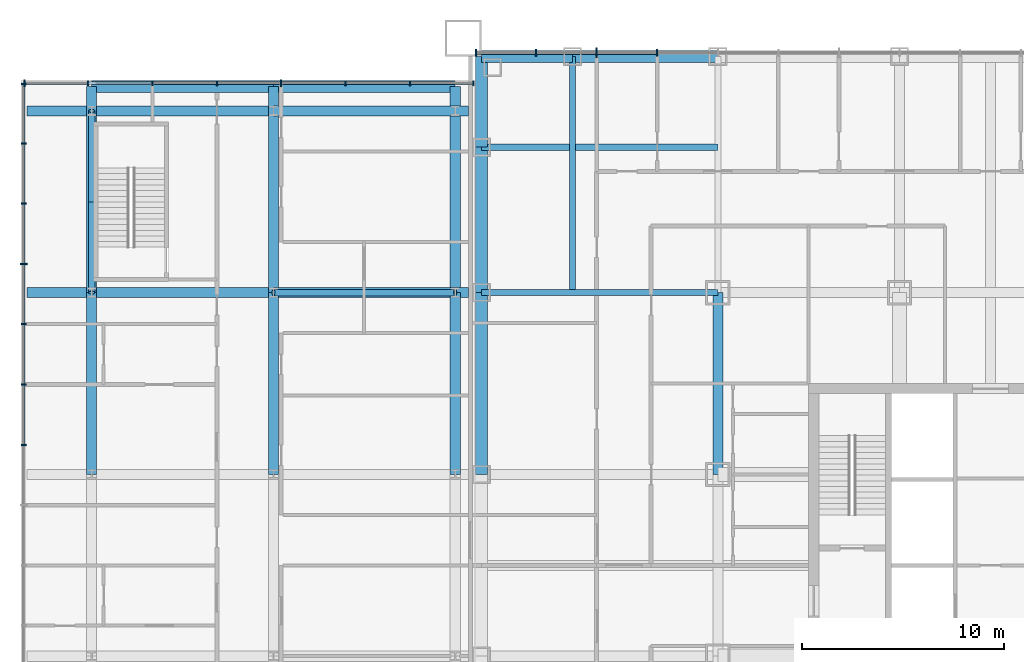
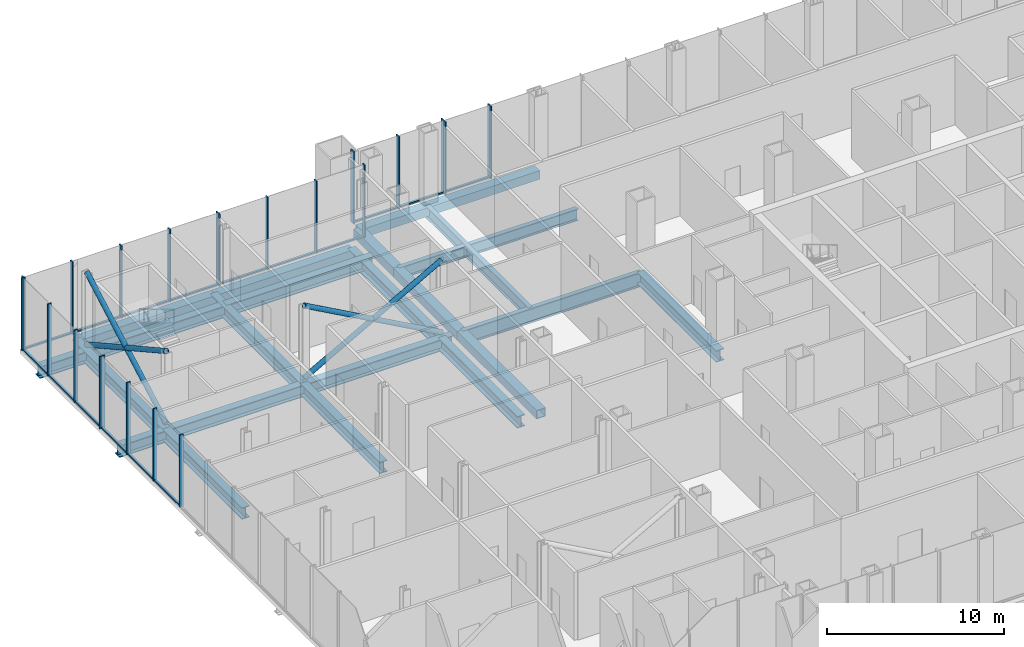
# One storey, part 5 of 25: 39 members, 21 beams, 3 elements without a shape of their own.
"""IFC4 building model written with IfcOpenShell, lengths in metres."""

import ifcopenshell
import ifcopenshell.guid

model = None  # the IFC model being written
_history = None  # IfcOwnerHistory: only IFC2X3 demands one
_inside = {}  # id of a spatial element -> (the spatial element, [elements in it])
_under = {}  # id of a project, library or spatial element -> (it, [spatial elements below it])
_declared = {}  # id of a project -> (the project, [libraries it declares])
_typed = {}  # id of a type object -> (the type object, [elements of that type])
_made_of = {}  # id of a material, layer set ... -> (it, [elements and type objects made of it])


def new_model(schema):
    """Start an empty IFC model of exactly this schema.

    Asked for "IFC4X3", IfcOpenShell would pick the latest addendum, in which some entities
    have other attributes; the version numbers below select the first issue.
    IFC2X3 requires an IfcOwnerHistory on every rooted entity: one is made here for all.
    """
    global model, _history
    if schema == "IFC4X3":
        model = ifcopenshell.file(schema_version=(4, 3, 0, 0))
    else:
        model = ifcopenshell.file(schema=schema)
    _inside.clear()
    _under.clear()
    _declared.clear()
    _typed.clear()
    _made_of.clear()
    _history = None
    if model.schema == "IFC2X3":
        org = make("IfcOrganization", Name="unknown")
        user = make(
            "IfcPersonAndOrganization",
            ThePerson=make("IfcPerson", FamilyName="unknown"),
            TheOrganization=org,
        )
        app = make(
            "IfcApplication",
            ApplicationDeveloper=org,
            Version="unknown",
            ApplicationFullName="unknown",
            ApplicationIdentifier="unknown",
        )
        _history = make(
            "IfcOwnerHistory",
            OwningUser=user,
            OwningApplication=app,
            ChangeAction="ADDED",
            CreationDate=0,
        )
    return model


def make(cls, **values):
    """One entity of the class cls with the attributes given. An attribute that is None is left unset."""
    return model.create_entity(
        cls, **{name: value for name, value in values.items() if value is not None}
    )


def rooted(cls, **values):
    """An entity with a GlobalId (a new one), such as an element, a storey or a relation."""
    return make(cls, GlobalId=ifcopenshell.guid.new(), OwnerHistory=_history, **values)


def si_unit(unit_type, name, prefix=None):
    """IfcSIUnit, for example si_unit("LENGTHUNIT", "METRE", prefix="MILLI")."""
    return make("IfcSIUnit", UnitType=unit_type, Prefix=prefix, Name=name)


def assignment(units):
    """IfcUnitAssignment: the units of a project."""
    return None if units is None else make("IfcUnitAssignment", Units=units)


def point(xyz):
    """IfcCartesianPoint."""
    return None if xyz is None else make("IfcCartesianPoint", Coordinates=xyz)


def direction(xyz):
    """IfcDirection."""
    return None if xyz is None else make("IfcDirection", DirectionRatios=xyz)


def frame(location, z_axis=None, x_axis=None):
    """IfcAxis2Placement3D, a coordinate frame: its origin and axes. An axis left out is left unset."""
    return make(
        "IfcAxis2Placement3D",
        Location=point(location),
        Axis=direction(z_axis),
        RefDirection=direction(x_axis),
    )


def frame_2d(location, x_axis=None):
    """IfcAxis2Placement2D, a coordinate frame in the plane: its origin and x axis."""
    return make(
        "IfcAxis2Placement2D", Location=point(location), RefDirection=direction(x_axis)
    )


def origin():
    """The frame at (0, 0, 0) with its axes left unset."""
    return frame((0.0, 0.0, 0.0))


def origin_2d():
    """The frame at (0, 0) in the plane with its x axis left unset."""
    return frame_2d((0.0, 0.0))


def place(relative_to, where):
    """IfcLocalPlacement: puts the frame where relative to a parent placement (None: the world)."""
    return make(
        "IfcLocalPlacement", PlacementRelTo=relative_to, RelativePlacement=where
    )


def context(
    kind, dimensions, precision=None, world=None, true_north=None, identifier=None
):
    """IfcGeometricRepresentationContext, for example the 3D "Model" context."""
    return make(
        "IfcGeometricRepresentationContext",
        ContextIdentifier=identifier,
        ContextType=kind,
        CoordinateSpaceDimension=dimensions,
        Precision=precision,
        WorldCoordinateSystem=world,
        TrueNorth=true_north,
    )


def subcontext(parent, identifier, kind, view, scale=None):
    """IfcGeometricRepresentationSubContext, for example "Body" below "Model"."""
    return make(
        "IfcGeometricRepresentationSubContext",
        ContextIdentifier=identifier,
        ContextType=kind,
        ParentContext=parent,
        TargetScale=scale,
        TargetView=view,
    )


def project(units=None, contexts=None):
    """IfcProject with its units and contexts."""
    return rooted(
        "IfcProject",
        Name="project",
        RepresentationContexts=contexts,
        UnitsInContext=assignment(units),
    )


def spatial(cls, under=None, at=None, **own):
    """A site, building, storey or space (cls), placed at a placement, below another one or the project."""
    s = rooted(cls, ObjectPlacement=at, **own)
    if under is not None:
        _under.setdefault(under.id(), (under, []))[1].append(s)
    return s


def profile(cls, at=None, kind="AREA", **sizes):
    """A parametric profile (cls). Its sizes go by their IFC names, for example OverallWidth=200.0."""
    return make(cls, ProfileType=kind, Position=at, **sizes)


def rectangle(**sizes):
    """IfcRectangleProfileDef."""
    return profile("IfcRectangleProfileDef", **sizes)


def hollow_rectangle(**sizes):
    """IfcRectangleHollowProfileDef."""
    return profile("IfcRectangleHollowProfileDef", **sizes)


def hollow_circle(**sizes):
    """IfcCircleHollowProfileDef."""
    return profile("IfcCircleHollowProfileDef", **sizes)


def i_section(**sizes):
    """IfcIShapeProfileDef."""
    return profile("IfcIShapeProfileDef", **sizes)


def extrude(swept, where, along, depth):
    """IfcExtrudedAreaSolid: the profile swept, set in the frame where, extruded along a direction by depth."""
    return make(
        "IfcExtrudedAreaSolid",
        SweptArea=swept,
        Position=where,
        ExtrudedDirection=direction(along),
        Depth=depth,
    )


def shape(context_of_items, identifier, shape_type, items):
    """IfcShapeRepresentation: the items that make up one representation, for example the "Body"."""
    return make(
        "IfcShapeRepresentation",
        ContextOfItems=context_of_items,
        RepresentationIdentifier=identifier,
        RepresentationType=shape_type,
        Items=items,
    )


def material(Name=None, Category=None):
    """IfcMaterial."""
    return make("IfcMaterial", Name=Name, Category=Category)


def layer(
    of_material, thickness, ventilated=None, Name=None, Category=None, Priority=None
):
    """IfcMaterialLayer: one layer of a wall or slab, of a material (None: an air gap)."""
    return make(
        "IfcMaterialLayer",
        Material=of_material,
        LayerThickness=thickness,
        IsVentilated=ventilated,
        Name=Name,
        Category=Category,
        Priority=Priority,
    )


def layer_set(layers, Name=None):
    """IfcMaterialLayerSet."""
    return make("IfcMaterialLayerSet", MaterialLayers=layers, LayerSetName=Name)


def material_profile(
    of_material, cross_section, Name=None, Category=None, Priority=None
):
    """IfcMaterialProfile: a cross section and its material."""
    return make(
        "IfcMaterialProfile",
        Name=Name,
        Material=of_material,
        Profile=cross_section,
        Priority=Priority,
        Category=Category,
    )


def profile_set(profiles, Name=None, composite=None):
    """IfcMaterialProfileSet."""
    return make(
        "IfcMaterialProfileSet",
        Name=Name,
        MaterialProfiles=profiles,
        CompositeProfile=composite,
    )


def made_of(thing, what):
    """Note that an element or type object is made of a material, layer set ...; save() writes the relation."""
    if what is not None:
        _made_of.setdefault(what.id(), (what, []))[1].append(thing)
    return thing


def type_object(cls, material=None, **own):
    """A type object (cls), such as IfcWallType, which elements share."""
    return made_of(rooted(cls, **own), material)


def element(
    cls,
    number,
    at=None,
    inside=None,
    cuts=None,
    type_object=None,
    material=None,
    context=None,
    identifier="Body",
    shape_type=None,
    held_by="IfcProductDefinitionShape",
    body=None,
    shapes=None,
    **own,
):
    """One element of the class cls, such as IfcWall. Its Tag is "e" and its number.

    at: its placement. inside: the storey or other place that contains it. cuts: it is an
    opening in that element (IfcRelVoidsElement). A single representation is given by context,
    identifier, shape_type and body (its items); several are given by shapes. held_by: the class
    of the entity that holds the representations. save() writes the other relations.
    """
    e = rooted(cls, Tag="e%d" % number, ObjectPlacement=at, **own)
    if body is not None:
        shapes = [shape(context, identifier, shape_type, body)]
    if shapes is not None:
        e.Representation = make(held_by, Representations=shapes)
    if inside is not None:
        _inside.setdefault(inside.id(), (inside, []))[1].append(e)
    if cuts is not None:
        rooted(
            "IfcRelVoidsElement", RelatingBuildingElement=cuts, RelatedOpeningElement=e
        )
    if type_object is not None:
        _typed.setdefault(type_object.id(), (type_object, []))[1].append(e)
    return made_of(e, material)


def aggregate(whole, parts):
    """IfcRelAggregates: a whole, such as a stair, and the parts it consists of."""
    return rooted("IfcRelAggregates", RelatingObject=whole, RelatedObjects=parts)


def save(model, path):
    """Write the relations noted so far, then the file.

    IfcRelAggregates (storeys below a building ...), IfcRelContainedInSpatialStructure (elements
    in a storey), IfcRelDefinesByType, IfcRelAssociatesMaterial and IfcRelDeclares: one each for
    every whole, place, type object, material and project.
    """
    for whole, parts in _under.values():
        aggregate(whole, parts)
    for where, things in _inside.values():
        rooted(
            "IfcRelContainedInSpatialStructure",
            RelatedElements=things,
            RelatingStructure=where,
        )
    for kind, things in _typed.values():
        rooted("IfcRelDefinesByType", RelatedObjects=things, RelatingType=kind)
    for what, things in _made_of.values():
        rooted("IfcRelAssociatesMaterial", RelatedObjects=things, RelatingMaterial=what)
    for by, libraries in _declared.values():
        rooted("IfcRelDeclares", RelatingContext=by, RelatedDefinitions=libraries)
    model.write(path)


model = new_model("IFC4")

# Units and contexts
model_context = context("Model", 3, precision=1e-05, world=origin(), true_north=direction((0.0, 1.0)))
body_context = subcontext(model_context, "Body", "Model", "MODEL_VIEW")
ifc_project = project(units=[si_unit("LENGTHUNIT", "METRE"), si_unit("AREAUNIT", "SQUARE_METRE"), si_unit("VOLUMEUNIT", "CUBIC_METRE"), si_unit("PLANEANGLEUNIT", "RADIAN"), si_unit("MASSUNIT", "GRAM", prefix="KILO")], contexts=[model_context])

# Site, building, storey
site_placement = place(None, origin())
site = spatial("IfcSite", under=ifc_project, at=site_placement, CompositionType="ELEMENT")
building_placement = place(site_placement, origin())
building = spatial("IfcBuilding", under=site, at=building_placement, Name="Malebo Sky Hospital", CompositionType="ELEMENT")
storey_placement = place(building_placement, frame((0.0, 0.0, 6.0)))
storey = spatial("IfcBuildingStorey", under=building, at=storey_placement, Name="L01", CompositionType="ELEMENT", Elevation=6.0)

# Curtain wall, members
ifc_material_1 = material(Name="Anodised aluminium, natural silver", Category="aluminium")
ifc_layer_1 = layer(ifc_material_1, 0.25)
ifc_layer_set_1 = layer_set([ifc_layer_1], Name="PODIUM CURTAIN WALL")
curtain_wall_type_1 = type_object("IfcCurtainWallType", Name="PODIUM CURTAIN WALL", PredefinedType="NOTDEFINED", material=ifc_layer_set_1)
curtain_wall_1_placement = place(storey_placement, origin())
curtain_wall_1 = element("IfcCurtainWall", 1, at=curtain_wall_1_placement, inside=storey, type_object=curtain_wall_type_1, Name="POD curtain wall WW", PredefinedType="NOTDEFINED")
ifc_material_profile_1 = material_profile(ifc_material_1, rectangle(XDim=0.14990234375, YDim=0.10009765625, at=origin_2d()), Name="ALUMINIUM TRANSOM 150x100")
ifc_profile_set_1 = profile_set([ifc_material_profile_1], Name="Anodised aluminium, natural silver")
member_type_1 = type_object("IfcMemberType", Name="ALUMINIUM TRANSOM 150x100", PredefinedType="USERDEFINED", material=ifc_profile_set_1)
member_1_placement = place(storey_placement, frame((12.125, 85.800048828125, 0.050048828125), z_axis=(0.0, -1.0, 0.0), x_axis=(1.0, 0.0, 0.0)))
member_1 = element("IfcMember", 2, at=member_1_placement, type_object=member_type_1, Name="Transom 1", ObjectType="TRANSOM", PredefinedType="USERDEFINED", context=body_context, shape_type="SweptSolid", body=[
    extrude(rectangle(XDim=0.14990234375, YDim=0.10009765625, at=origin_2d()), origin(), (0.0, 0.0, 1.0), 2.8720703125),
])
member_2_placement = place(storey_placement, frame((12.125, 82.85302734375, 0.050048828125), z_axis=(0.0, -1.0, 0.0), x_axis=(1.0, 0.0, 0.0)))
member_2 = element("IfcMember", 3, at=member_2_placement, type_object=member_type_1, Name="Transom 2", ObjectType="TRANSOM", PredefinedType="USERDEFINED", context=body_context, shape_type="SweptSolid", body=[
    extrude(rectangle(XDim=0.14990234375, YDim=0.10009765625, at=origin_2d()), origin(), (0.0, 0.0, 1.0), 2.909423828125),
])
member_3_placement = place(storey_placement, frame((12.125, 79.86865234375, 0.050048828125), z_axis=(0.0, -1.0, 0.0), x_axis=(1.0, 0.0, 0.0)))
member_3 = element("IfcMember", 4, at=member_3_placement, type_object=member_type_1, Name="Transom 3", ObjectType="TRANSOM", PredefinedType="USERDEFINED", context=body_context, shape_type="SweptSolid", body=[
    extrude(rectangle(XDim=0.14990234375, YDim=0.10009765625, at=origin_2d()), origin(), (0.0, 0.0, 1.0), 2.9091796875),
])
member_4_placement = place(storey_placement, frame((12.125, 76.884521484375, 0.050048828125), z_axis=(0.0, -1.0, 0.0), x_axis=(1.0, 0.0, 0.0)))
member_4 = element("IfcMember", 5, at=member_4_placement, type_object=member_type_1, Name="Transom 4", ObjectType="TRANSOM", PredefinedType="USERDEFINED", context=body_context, shape_type="SweptSolid", body=[
    extrude(rectangle(XDim=0.14990234375, YDim=0.10009765625, at=origin_2d()), origin(), (0.0, 0.0, 1.0), 2.909423828125),
])
member_5_placement = place(storey_placement, frame((12.125, 73.89990234375, 0.050048828125), z_axis=(0.0, -1.0, 0.0), x_axis=(1.0, 0.0, 0.0)))
member_5 = element("IfcMember", 6, at=member_5_placement, type_object=member_type_1, Name="Transom 5", ObjectType="TRANSOM", PredefinedType="USERDEFINED", context=body_context, shape_type="SweptSolid", body=[
    extrude(rectangle(XDim=0.14990234375, YDim=0.10009765625, at=origin_2d()), origin(), (0.0, 0.0, 1.0), 2.909423828125),
])
member_6_placement = place(storey_placement, frame((12.125, 70.91552734375, 0.050048828125), z_axis=(0.0, -1.0, 0.0), x_axis=(1.0, 0.0, 0.0)))
member_6 = element("IfcMember", 7, at=member_6_placement, type_object=member_type_1, Name="Transom 6", ObjectType="TRANSOM", PredefinedType="USERDEFINED", context=body_context, shape_type="SweptSolid", body=[
    extrude(rectangle(XDim=0.14990234375, YDim=0.10009765625, at=origin_2d()), origin(), (0.0, 0.0, 1.0), 2.9091796875),
])

curtain_wall_2_placement = place(storey_placement, origin())
curtain_wall_2 = element("IfcCurtainWall", 8, at=curtain_wall_2_placement, inside=storey, type_object=curtain_wall_type_1, Name="POD curtain wall WN", PredefinedType="NOTDEFINED")
member_7_placement = place(storey_placement, frame((34.375, 85.875, 0.050048828125), z_axis=(-1.0, 0.0, 0.0), x_axis=(0.0, -1.0, 0.0)))
member_7 = element("IfcMember", 9, at=member_7_placement, type_object=member_type_1, Name="Transom 1", ObjectType="TRANSOM", PredefinedType="USERDEFINED", context=body_context, shape_type="SweptSolid", body=[
    extrude(rectangle(XDim=0.14990234375, YDim=0.10009765625, at=origin_2d()), origin(), (0.0, 0.0, 1.0), 3.076904296875),
])
member_8_placement = place(storey_placement, frame((31.22314453125, 85.875, 0.050048828125), z_axis=(-1.0, 0.0, 0.0), x_axis=(0.0, -1.0, 0.0)))
member_8 = element("IfcMember", 10, at=member_8_placement, type_object=member_type_1, Name="Transom 2", ObjectType="TRANSOM", PredefinedType="USERDEFINED", context=body_context, shape_type="SweptSolid", body=[
    extrude(rectangle(XDim=0.14990234375, YDim=0.10009765625, at=origin_2d()), origin(), (0.0, 0.0, 1.0), 3.1142578125),
])
member_9_placement = place(storey_placement, frame((28.033935546875, 85.875, 0.050048828125), z_axis=(-1.0, 0.0, 0.0), x_axis=(0.0, -1.0, 0.0)))
member_9 = element("IfcMember", 11, at=member_9_placement, type_object=member_type_1, Name="Transom 3", ObjectType="TRANSOM", PredefinedType="USERDEFINED", context=body_context, shape_type="SweptSolid", body=[
    extrude(rectangle(XDim=0.14990234375, YDim=0.10009765625, at=origin_2d()), origin(), (0.0, 0.0, 1.0), 3.1142578125),
])
member_10_placement = place(storey_placement, frame((24.844482421875, 85.875, 0.050048828125), z_axis=(-1.0, 0.0, 0.0), x_axis=(0.0, -1.0, 0.0)))
member_10 = element("IfcMember", 12, at=member_10_placement, type_object=member_type_1, Name="Transom 4", ObjectType="TRANSOM", PredefinedType="USERDEFINED", context=body_context, shape_type="SweptSolid", body=[
    extrude(rectangle(XDim=0.14990234375, YDim=0.10009765625, at=origin_2d()), origin(), (0.0, 0.0, 1.0), 3.114013671875),
])
member_11_placement = place(storey_placement, frame((21.655517578125, 85.875, 0.050048828125), z_axis=(-1.0, 0.0, 0.0), x_axis=(0.0, -1.0, 0.0)))
member_11 = element("IfcMember", 13, at=member_11_placement, type_object=member_type_1, Name="Transom 5", ObjectType="TRANSOM", PredefinedType="USERDEFINED", context=body_context, shape_type="SweptSolid", body=[
    extrude(rectangle(XDim=0.14990234375, YDim=0.10009765625, at=origin_2d()), origin(), (0.0, 0.0, 1.0), 3.114501953125),
])
member_12_placement = place(storey_placement, frame((18.466064453125, 85.875, 0.050048828125), z_axis=(-1.0, 0.0, 0.0), x_axis=(0.0, -1.0, 0.0)))
member_12 = element("IfcMember", 14, at=member_12_placement, type_object=member_type_1, Name="Transom 6", ObjectType="TRANSOM", PredefinedType="USERDEFINED", context=body_context, shape_type="SweptSolid", body=[
    extrude(rectangle(XDim=0.14990234375, YDim=0.10009765625, at=origin_2d()), origin(), (0.0, 0.0, 1.0), 3.1142578125),
])
member_13_placement = place(storey_placement, frame((15.27685546875, 85.875, 0.050048828125), z_axis=(-1.0, 0.0, 0.0), x_axis=(0.0, -1.0, 0.0)))
member_13 = element("IfcMember", 15, at=member_13_placement, type_object=member_type_1, Name="Transom 7", ObjectType="TRANSOM", PredefinedType="USERDEFINED", context=body_context, shape_type="SweptSolid", body=[
    extrude(rectangle(XDim=0.14990234375, YDim=0.10009765625, at=origin_2d()), origin(), (0.0, 0.0, 1.0), 3.076904296875),
])

ifc_layer_2 = layer(ifc_material_1, 0.25)
ifc_layer_set_2 = layer_set([ifc_layer_2], Name="PODIUM ENTRANCE BAY CURTAIN WALL")
curtain_wall_type_2 = type_object("IfcCurtainWallType", Name="PODIUM ENTRANCE BAY CURTAIN WALL", PredefinedType="NOTDEFINED", material=ifc_layer_set_2)
curtain_wall_3_placement = place(storey_placement, origin())
curtain_wall_3 = element("IfcCurtainWall", 16, at=curtain_wall_3_placement, inside=storey, type_object=curtain_wall_type_2, Name="BAY curtain wall BN", PredefinedType="NOTDEFINED")
member_14_placement = place(storey_placement, frame((43.46240234375, 87.375, 0.050048828125), z_axis=(-1.0, 0.0, 0.0), x_axis=(0.0, -1.0, 0.0)))
member_14 = element("IfcMember", 17, at=member_14_placement, type_object=member_type_1, Name="Transom 15", ObjectType="TRANSOM", PredefinedType="USERDEFINED", context=body_context, shape_type="SweptSolid", body=[
    extrude(rectangle(XDim=0.14990234375, YDim=0.10009765625, at=origin_2d()), origin(), (0.0, 0.0, 1.0), 2.9248046875),
])
member_15_placement = place(storey_placement, frame((40.46240234375, 87.375, 0.050048828125), z_axis=(-1.0, 0.0, 0.0), x_axis=(0.0, -1.0, 0.0)))
member_15 = element("IfcMember", 18, at=member_15_placement, type_object=member_type_1, Name="Transom 16", ObjectType="TRANSOM", PredefinedType="USERDEFINED", context=body_context, shape_type="SweptSolid", body=[
    extrude(rectangle(XDim=0.14990234375, YDim=0.10009765625, at=origin_2d()), origin(), (0.0, 0.0, 1.0), 2.9248046875),
])
member_16_placement = place(storey_placement, frame((37.46240234375, 87.375, 0.050048828125), z_axis=(-1.0, 0.0, 0.0), x_axis=(0.0, -1.0, 0.0)))
member_16 = element("IfcMember", 19, at=member_16_placement, type_object=member_type_1, Name="Transom 17", ObjectType="TRANSOM", PredefinedType="USERDEFINED", context=body_context, shape_type="SweptSolid", body=[
    extrude(rectangle(XDim=0.14990234375, YDim=0.10009765625, at=origin_2d()), origin(), (0.0, 0.0, 1.0), 2.887451171875),
])

# Member
ifc_material_profile_2 = material_profile(ifc_material_1, rectangle(XDim=0.074951171875, YDim=0.25, at=origin_2d()), Name="CW3 ALUMINIUM FIN MULLION 75x250")
ifc_profile_set_2 = profile_set([ifc_material_profile_2], Name="Anodised aluminium, natural silver")
member_type_2 = type_object("IfcMemberType", Name="CW3 ALUMINIUM FIN MULLION 75x250", PredefinedType="MULLION", material=ifc_profile_set_2)
member_17_placement = place(storey_placement, frame((12.125, 85.83740234375, 0.0), z_axis=(0.0, 0.0, 1.0), x_axis=(0.0, -1.0, 0.0)))
member_17 = element("IfcMember", 20, at=member_17_placement, type_object=member_type_2, Name="Fin mullion 1", PredefinedType="MULLION", context=body_context, shape_type="SweptSolid", body=[
    extrude(rectangle(XDim=0.074951171875, YDim=0.25, at=origin_2d()), origin(), (0.0, 0.0, 1.0), 5.0),
])

member_18_placement = place(storey_placement, frame((12.125, 82.890625, 0.0), z_axis=(0.0, 0.0, 1.0), x_axis=(0.0, -1.0, 0.0)))
member_18 = element("IfcMember", 21, at=member_18_placement, type_object=member_type_2, Name="Fin mullion 2", PredefinedType="MULLION", context=body_context, shape_type="SweptSolid", body=[
    extrude(rectangle(XDim=0.074951171875, YDim=0.25, at=origin_2d()), origin(), (0.0, 0.0, 1.0), 5.0),
])

member_19_placement = place(storey_placement, frame((12.125, 79.90625, 0.0), z_axis=(0.0, 0.0, 1.0), x_axis=(0.0, -1.0, 0.0)))
member_19 = element("IfcMember", 22, at=member_19_placement, type_object=member_type_2, Name="Fin mullion 3", PredefinedType="MULLION", context=body_context, shape_type="SweptSolid", body=[
    extrude(rectangle(XDim=0.074951171875, YDim=0.25, at=origin_2d()), origin(), (0.0, 0.0, 1.0), 5.0),
])

member_20_placement = place(storey_placement, frame((12.125, 73.9375, 0.0), z_axis=(0.0, 0.0, 1.0), x_axis=(0.0, -1.0, 0.0)))
member_20 = element("IfcMember", 23, at=member_20_placement, type_object=member_type_2, Name="Fin mullion 5", PredefinedType="MULLION", context=body_context, shape_type="SweptSolid", body=[
    extrude(rectangle(XDim=0.074951171875, YDim=0.25, at=origin_2d()), origin(), (0.0, 0.0, 1.0), 5.0),
])

member_21_placement = place(storey_placement, frame((12.125, 70.953125, 0.0), z_axis=(0.0, 0.0, 1.0), x_axis=(0.0, -1.0, 0.0)))
member_21 = element("IfcMember", 24, at=member_21_placement, type_object=member_type_2, Name="Fin mullion 6", PredefinedType="MULLION", context=body_context, shape_type="SweptSolid", body=[
    extrude(rectangle(XDim=0.074951171875, YDim=0.25, at=origin_2d()), origin(), (0.0, 0.0, 1.0), 5.0),
])

member_22_placement = place(storey_placement, frame((12.125, 67.96875, 0.0), z_axis=(0.0, 0.0, 1.0), x_axis=(0.0, -1.0, 0.0)))
member_22 = element("IfcMember", 25, at=member_22_placement, type_object=member_type_2, Name="Fin mullion 7", PredefinedType="MULLION", context=body_context, shape_type="SweptSolid", body=[
    extrude(rectangle(XDim=0.074951171875, YDim=0.25, at=origin_2d()), origin(), (0.0, 0.0, 1.0), 5.0),
])

member_23_placement = place(storey_placement, frame((34.41259765625, 85.875, 0.0), z_axis=(0.0, 0.0, 1.0), x_axis=(-1.0, 0.0, 0.0)))
member_23 = element("IfcMember", 26, at=member_23_placement, type_object=member_type_2, Name="Fin mullion 1", PredefinedType="MULLION", context=body_context, shape_type="SweptSolid", body=[
    extrude(rectangle(XDim=0.074951171875, YDim=0.25, at=origin_2d()), origin(), (0.0, 0.0, 1.0), 5.0),
])

member_24_placement = place(storey_placement, frame((31.2607421875, 85.875, 0.0), z_axis=(0.0, 0.0, 1.0), x_axis=(-1.0, 0.0, 0.0)))
member_24 = element("IfcMember", 27, at=member_24_placement, type_object=member_type_2, Name="Fin mullion 2", PredefinedType="MULLION", context=body_context, shape_type="SweptSolid", body=[
    extrude(rectangle(XDim=0.074951171875, YDim=0.25, at=origin_2d()), origin(), (0.0, 0.0, 1.0), 5.0),
])

member_25_placement = place(storey_placement, frame((28.0712890625, 85.875, 0.0), z_axis=(0.0, 0.0, 1.0), x_axis=(-1.0, 0.0, 0.0)))
member_25 = element("IfcMember", 28, at=member_25_placement, type_object=member_type_2, Name="Fin mullion 3", PredefinedType="MULLION", context=body_context, shape_type="SweptSolid", body=[
    extrude(rectangle(XDim=0.074951171875, YDim=0.25, at=origin_2d()), origin(), (0.0, 0.0, 1.0), 5.0),
])

member_26_placement = place(storey_placement, frame((21.69287109375, 85.875, 0.0), z_axis=(0.0, 0.0, 1.0), x_axis=(-1.0, 0.0, 0.0)))
member_26 = element("IfcMember", 29, at=member_26_placement, type_object=member_type_2, Name="Fin mullion 5", PredefinedType="MULLION", context=body_context, shape_type="SweptSolid", body=[
    extrude(rectangle(XDim=0.074951171875, YDim=0.25, at=origin_2d()), origin(), (0.0, 0.0, 1.0), 5.0),
])

member_27_placement = place(storey_placement, frame((18.503662109375, 85.875, 0.0), z_axis=(0.0, 0.0, 1.0), x_axis=(-1.0, 0.0, 0.0)))
member_27 = element("IfcMember", 30, at=member_27_placement, type_object=member_type_2, Name="Fin mullion 6", PredefinedType="MULLION", context=body_context, shape_type="SweptSolid", body=[
    extrude(rectangle(XDim=0.074951171875, YDim=0.25, at=origin_2d()), origin(), (0.0, 0.0, 1.0), 5.0),
])

member_28_placement = place(storey_placement, frame((15.314208984375, 85.875, 0.0), z_axis=(0.0, 0.0, 1.0), x_axis=(-1.0, 0.0, 0.0)))
member_28 = element("IfcMember", 31, at=member_28_placement, type_object=member_type_2, Name="Fin mullion 7", PredefinedType="MULLION", context=body_context, shape_type="SweptSolid", body=[
    extrude(rectangle(XDim=0.074951171875, YDim=0.25, at=origin_2d()), origin(), (0.0, 0.0, 1.0), 5.0),
])

ifc_material_profile_3 = material_profile(ifc_material_1, rectangle(XDim=0.074951171875, YDim=0.35009765625, at=origin_2d()), Name="CW3 ALUMINIUM FIN MULLION 75x350")
ifc_profile_set_3 = profile_set([ifc_material_profile_3], Name="Anodised aluminium, natural silver")
member_type_3 = type_object("IfcMemberType", Name="CW3 ALUMINIUM FIN MULLION 75x350", PredefinedType="MULLION", material=ifc_profile_set_3)
member_29_placement = place(storey_placement, frame((12.125, 76.921875, 0.0), z_axis=(0.0, 0.0, 1.0), x_axis=(0.0, -1.0, 0.0)))
member_29 = element("IfcMember", 32, at=member_29_placement, type_object=member_type_3, Name="Fin mullion 4", PredefinedType="MULLION", context=body_context, shape_type="SweptSolid", body=[
    extrude(rectangle(XDim=0.074951171875, YDim=0.35009765625, at=origin_2d()), origin(), (0.0, 0.0, 1.0), 5.0),
])

aggregate(curtain_wall_1, [member_17, member_18, member_19, member_29, member_20, member_21, member_22, member_1, member_2, member_3, member_4, member_5, member_6])

member_30_placement = place(storey_placement, frame((24.882080078125, 85.875, 0.0), z_axis=(0.0, 0.0, 1.0), x_axis=(-1.0, 0.0, 0.0)))
member_30 = element("IfcMember", 33, at=member_30_placement, type_object=member_type_3, Name="Fin mullion 4", PredefinedType="MULLION", context=body_context, shape_type="SweptSolid", body=[
    extrude(rectangle(XDim=0.074951171875, YDim=0.35009765625, at=origin_2d()), origin(), (0.0, 0.0, 1.0), 5.0),
])

member_31_placement = place(storey_placement, frame((12.16259765625, 85.875, 0.0), z_axis=(0.0, 0.0, 1.0), x_axis=(-1.0, 0.0, 0.0)))
member_31 = element("IfcMember", 34, at=member_31_placement, type_object=member_type_3, Name="Fin mullion 8", PredefinedType="MULLION", context=body_context, shape_type="SweptSolid", body=[
    extrude(rectangle(XDim=0.074951171875, YDim=0.35009765625, at=origin_2d()), origin(), (0.0, 0.0, 1.0), 5.0),
])

aggregate(curtain_wall_2, [member_23, member_24, member_25, member_30, member_26, member_27, member_28, member_31, member_7, member_8, member_9, member_10, member_11, member_12, member_13])

ifc_material_profile_4 = material_profile(ifc_material_1, rectangle(XDim=0.074951171875, YDim=0.35009765625, at=origin_2d()), Name="CW4 ALUMINIUM FIN MULLION 75x350")
ifc_profile_set_4 = profile_set([ifc_material_profile_4], Name="Anodised aluminium, natural silver")
member_type_4 = type_object("IfcMemberType", Name="CW4 ALUMINIUM FIN MULLION 75x350", PredefinedType="MULLION", material=ifc_profile_set_4)
member_32_placement = place(storey_placement, frame((43.5, 87.375, 0.0), z_axis=(0.0, 0.0, 1.0), x_axis=(-1.0, 0.0, 0.0)))
member_32 = element("IfcMember", 35, at=member_32_placement, type_object=member_type_4, Name="Fin mullion 15", PredefinedType="MULLION", context=body_context, shape_type="SweptSolid", body=[
    extrude(rectangle(XDim=0.074951171875, YDim=0.35009765625, at=origin_2d()), origin(), (0.0, 0.0, 1.0), 5.0),
])

member_33_placement = place(storey_placement, frame((37.5, 87.375, 0.0), z_axis=(0.0, 0.0, 1.0), x_axis=(-1.0, 0.0, 0.0)))
member_33 = element("IfcMember", 36, at=member_33_placement, type_object=member_type_4, Name="Fin mullion 17", PredefinedType="MULLION", context=body_context, shape_type="SweptSolid", body=[
    extrude(rectangle(XDim=0.074951171875, YDim=0.35009765625, at=origin_2d()), origin(), (0.0, 0.0, 1.0), 5.0),
])

member_34_placement = place(storey_placement, frame((34.53759765625, 87.375, 0.0), z_axis=(0.0, 0.0, 1.0), x_axis=(-1.0, 0.0, 0.0)))
member_34 = element("IfcMember", 37, at=member_34_placement, type_object=member_type_4, Name="Fin mullion 18", PredefinedType="MULLION", context=body_context, shape_type="SweptSolid", body=[
    extrude(rectangle(XDim=0.074951171875, YDim=0.35009765625, at=origin_2d()), origin(), (0.0, 0.0, 1.0), 5.0),
])

ifc_material_profile_5 = material_profile(ifc_material_1, rectangle(XDim=0.074951171875, YDim=0.5, at=origin_2d()), Name="CW4 ALUMINIUM FIN MULLION 75x500")
ifc_profile_set_5 = profile_set([ifc_material_profile_5], Name="Anodised aluminium, natural silver")
member_type_5 = type_object("IfcMemberType", Name="CW4 ALUMINIUM FIN MULLION 75x500", PredefinedType="MULLION", material=ifc_profile_set_5)
member_35_placement = place(storey_placement, frame((40.5, 87.375, 0.0), z_axis=(0.0, 0.0, 1.0), x_axis=(-1.0, 0.0, 0.0)))
member_35 = element("IfcMember", 38, at=member_35_placement, type_object=member_type_5, Name="Fin mullion 16", PredefinedType="MULLION", context=body_context, shape_type="SweptSolid", body=[
    extrude(rectangle(XDim=0.074951171875, YDim=0.5, at=origin_2d()), origin(), (0.0, 0.0, 1.0), 5.0),
])

aggregate(curtain_wall_3, [member_32, member_35, member_33, member_34, member_14, member_15, member_16])

# Beams
ifc_material_2 = material(Name="Steel S460", Category="steel")
ifc_material_profile_6 = material_profile(ifc_material_2, hollow_rectangle(XDim=0.60009765625, YDim=0.60009765625, WallThickness=0.0400390625, at=origin_2d()), Name="BOX 600x600x40")
ifc_profile_set_6 = profile_set([ifc_material_profile_6], Name="Steel S460")
beam_type_1 = type_object("IfcBeamType", Name="EDGE BEAM BOX 600x600x40", PredefinedType="BEAM", material=ifc_profile_set_6)
beam_1_placement = place(storey_placement, frame((34.800048828125, 66.5, -0.60009765625), z_axis=(0.0, 1.0, 0.0), x_axis=(-1.0, 0.0, 0.0)))
element("IfcBeam", 39, at=beam_1_placement, inside=storey, type_object=beam_type_1, Name="Beam 004 L01", PredefinedType="BEAM", context=body_context, shape_type="SweptSolid", body=[
    extrude(hollow_rectangle(XDim=0.60009765625, YDim=0.60009765625, WallThickness=0.0400390625, at=origin_2d()), origin(), (0.0, 0.0, 1.0), 9.0),
])
beam_2_placement = place(storey_placement, frame((34.800048828125, 75.5, -0.60009765625), z_axis=(0.0, 1.0, 0.0), x_axis=(-1.0, 0.0, 0.0)))
element("IfcBeam", 40, at=beam_2_placement, inside=storey, type_object=beam_type_1, Name="Beam 005 L01", PredefinedType="BEAM", context=body_context, shape_type="SweptSolid", body=[
    extrude(hollow_rectangle(XDim=0.60009765625, YDim=0.60009765625, WallThickness=0.0400390625, at=origin_2d()), origin(), (0.0, 0.0, 1.0), 7.199951171875),
])
for number, where, z_axis, x_axis, name in (
    (41, (34.800048828125, 82.699951171875, -0.60009765625), (0.0, 1.0, 0.0), (-1.0, 0.0, 0.0), "Beam 006 L01"),
    (42, (34.800048828125, 87.199951171875, -0.60009765625), (1.0, 0.0, 0.0), (0.0, 1.0, 0.0), "Beam 069 L01"),
):
    element("IfcBeam", number, at=place(storey_placement, frame(where, z_axis=z_axis, x_axis=x_axis)), inside=storey, type_object=beam_type_1, Name=name, PredefinedType="BEAM", context=body_context, shape_type="SweptSolid", body=[
        extrude(hollow_rectangle(XDim=0.60009765625, YDim=0.60009765625, WallThickness=0.0400390625, at=origin_2d()), origin(), (0.0, 0.0, 1.0), 4.5),
    ])
beam_3_placement = place(storey_placement, frame((39.300048828125, 87.199951171875, -0.60009765625), z_axis=(1.0, 0.0, 0.0), x_axis=(0.0, 1.0, 0.0)))
element("IfcBeam", 43, at=beam_3_placement, inside=storey, type_object=beam_type_1, Name="Beam 070 L01", PredefinedType="BEAM", context=body_context, shape_type="SweptSolid", body=[
    extrude(hollow_rectangle(XDim=0.60009765625, YDim=0.60009765625, WallThickness=0.0400390625, at=origin_2d()), origin(), (0.0, 0.0, 1.0), 7.199951171875),
])
for number, where, z_axis, x_axis, name in (
    (44, (15.5, 85.699951171875, -0.60009765625), (1.0, 0.0, 0.0), (0.0, 1.0, 0.0), "Beam W030 L01"),
    (45, (24.5, 85.699951171875, -0.60009765625), (1.0, 0.0, 0.0), (0.0, 1.0, 0.0), "Beam W031 L01"),
):
    element("IfcBeam", number, at=place(storey_placement, frame(where, z_axis=z_axis, x_axis=x_axis)), inside=storey, type_object=beam_type_1, Name=name, PredefinedType="BEAM", context=body_context, shape_type="SweptSolid", body=[
        extrude(hollow_rectangle(XDim=0.60009765625, YDim=0.60009765625, WallThickness=0.0400390625, at=origin_2d()), origin(), (0.0, 0.0, 1.0), 9.0),
    ])
ifc_material_3 = material(Name="Steel S355", Category="steel")
ifc_material_profile_7 = material_profile(ifc_material_3, i_section(OverallWidth=0.300048828125, OverallDepth=0.800048828125, WebThickness=0.017578125, FlangeThickness=0.032958984375, FilletRadius=0.030029296875, at=origin_2d()), Name="HEB 800")
ifc_profile_set_7 = profile_set([ifc_material_profile_7], Name="Steel S355")
beam_type_2 = type_object("IfcBeamType", Name="FLOOR BEAM HEB 800", PredefinedType="BEAM", material=ifc_profile_set_7)
for number, where, z_axis, x_axis, name in (
    (46, (39.300048828125, 75.5, -0.699951171875), (0.0, 1.0, 0.0), (-1.0, 0.0, 0.0), "Beam 008 L01"),
    (47, (34.800048828125, 82.699951171875, -0.699951171875), (1.0, 0.0, 0.0), (0.0, 1.0, 0.0), "Beam 067 L01"),
):
    element("IfcBeam", number, at=place(storey_placement, frame(where, z_axis=z_axis, x_axis=x_axis)), inside=storey, type_object=beam_type_2, Name=name, PredefinedType="BEAM", context=body_context, shape_type="SweptSolid", body=[
        extrude(i_section(OverallWidth=0.300048828125, OverallDepth=0.800048828125, WebThickness=0.017578125, FlangeThickness=0.032958984375, FilletRadius=0.030029296875, at=origin_2d()), origin(), (0.0, 0.0, 1.0), 11.699951171875),
    ])
ifc_material_profile_8 = material_profile(ifc_material_3, i_section(OverallWidth=0.5, OverallDepth=0.800048828125, WebThickness=0.030029296875, FlangeThickness=0.050048828125, at=origin_2d()), Name="PG 800x500x30x50")
ifc_profile_set_8 = profile_set([ifc_material_profile_8], Name="Steel S355")
beam_type_3 = type_object("IfcBeamType", Name="FLOOR BEAM PG 800x500x30x50", PredefinedType="BEAM", material=ifc_profile_set_8)
for number, where, z_axis, x_axis, name in (
    (48, (46.5, 66.5, -0.699951171875), (0.0, 1.0, 0.0), (-1.0, 0.0, 0.0), "Beam 012 L01"),
    (49, (15.5, 66.5, -0.699951171875), (0.0, 1.0, 0.0), (-1.0, 0.0, 0.0), "Beam W004 L01"),
):
    element("IfcBeam", number, at=place(storey_placement, frame(where, z_axis=z_axis, x_axis=x_axis)), inside=storey, type_object=beam_type_3, Name=name, PredefinedType="BEAM", context=body_context, shape_type="SweptSolid", body=[
        extrude(i_section(OverallWidth=0.5, OverallDepth=0.800048828125, WebThickness=0.030029296875, FlangeThickness=0.050048828125, at=origin_2d()), origin(), (0.0, 0.0, 1.0), 9.0),
    ])
beam_4_placement = place(storey_placement, frame((15.5, 75.5, -0.699951171875), z_axis=(0.0, 1.0, 0.0), x_axis=(-1.0, 0.0, 0.0)))
element("IfcBeam", 50, at=beam_4_placement, inside=storey, type_object=beam_type_3, Name="Beam W005 L01", PredefinedType="BEAM", context=body_context, shape_type="SweptSolid", body=[
    extrude(i_section(OverallWidth=0.5, OverallDepth=0.800048828125, WebThickness=0.030029296875, FlangeThickness=0.050048828125, at=origin_2d()), origin(), (0.0, 0.0, 1.0), 10.199951171875),
])
beam_5_placement = place(storey_placement, frame((24.5, 66.5, -0.699951171875), z_axis=(0.0, 1.0, 0.0), x_axis=(-1.0, 0.0, 0.0)))
element("IfcBeam", 51, at=beam_5_placement, inside=storey, type_object=beam_type_3, Name="Beam W009 L01", PredefinedType="BEAM", context=body_context, shape_type="SweptSolid", body=[
    extrude(i_section(OverallWidth=0.5, OverallDepth=0.800048828125, WebThickness=0.030029296875, FlangeThickness=0.050048828125, at=origin_2d()), origin(), (0.0, 0.0, 1.0), 9.0),
])
beam_6_placement = place(storey_placement, frame((24.5, 75.5, -0.699951171875), z_axis=(0.0, 1.0, 0.0), x_axis=(-1.0, 0.0, 0.0)))
element("IfcBeam", 52, at=beam_6_placement, inside=storey, type_object=beam_type_3, Name="Beam W010 L01", PredefinedType="BEAM", context=body_context, shape_type="SweptSolid", body=[
    extrude(i_section(OverallWidth=0.5, OverallDepth=0.800048828125, WebThickness=0.030029296875, FlangeThickness=0.050048828125, at=origin_2d()), origin(), (0.0, 0.0, 1.0), 10.199951171875),
])
beam_7_placement = place(storey_placement, frame((33.5, 66.5, -0.699951171875), z_axis=(0.0, 1.0, 0.0), x_axis=(-1.0, 0.0, 0.0)))
element("IfcBeam", 53, at=beam_7_placement, inside=storey, type_object=beam_type_3, Name="Beam W014 L01", PredefinedType="BEAM", context=body_context, shape_type="SweptSolid", body=[
    extrude(i_section(OverallWidth=0.5, OverallDepth=0.800048828125, WebThickness=0.030029296875, FlangeThickness=0.050048828125, at=origin_2d()), origin(), (0.0, 0.0, 1.0), 9.0),
])
beam_8_placement = place(storey_placement, frame((33.5, 75.5, -0.699951171875), z_axis=(0.0, 1.0, 0.0), x_axis=(-1.0, 0.0, 0.0)))
element("IfcBeam", 54, at=beam_8_placement, inside=storey, type_object=beam_type_3, Name="Beam W015 L01", PredefinedType="BEAM", context=body_context, shape_type="SweptSolid", body=[
    extrude(i_section(OverallWidth=0.5, OverallDepth=0.800048828125, WebThickness=0.030029296875, FlangeThickness=0.050048828125, at=origin_2d()), origin(), (0.0, 0.0, 1.0), 10.199951171875),
])
beam_9_placement = place(storey_placement, frame((12.300048828125, 75.5, -0.699951171875), z_axis=(1.0, 0.0, 0.0), x_axis=(0.0, 1.0, 0.0)))
element("IfcBeam", 55, at=beam_9_placement, inside=storey, type_object=beam_type_3, Name="Beam W024 L01", PredefinedType="BEAM", context=body_context, shape_type="SweptSolid", body=[
    extrude(i_section(OverallWidth=0.5, OverallDepth=0.800048828125, WebThickness=0.030029296875, FlangeThickness=0.050048828125, at=origin_2d()), origin(), (0.0, 0.0, 1.0), 12.199951171875),
])
beam_10_placement = place(storey_placement, frame((24.5, 75.5, -0.699951171875), z_axis=(1.0, 0.0, 0.0), x_axis=(0.0, 1.0, 0.0)))
element("IfcBeam", 56, at=beam_10_placement, inside=storey, type_object=beam_type_3, Name="Beam W025 L01", PredefinedType="BEAM", context=body_context, shape_type="SweptSolid", body=[
    extrude(i_section(OverallWidth=0.5, OverallDepth=0.800048828125, WebThickness=0.030029296875, FlangeThickness=0.050048828125, at=origin_2d()), origin(), (0.0, 0.0, 1.0), 9.64990234375),
])
beam_11_placement = place(storey_placement, frame((12.300048828125, 84.5, -0.699951171875), z_axis=(1.0, 0.0, 0.0), x_axis=(0.0, 1.0, 0.0)))
element("IfcBeam", 57, at=beam_11_placement, inside=storey, type_object=beam_type_3, Name="Beam W026 L01", PredefinedType="BEAM", context=body_context, shape_type="SweptSolid", body=[
    extrude(i_section(OverallWidth=0.5, OverallDepth=0.800048828125, WebThickness=0.030029296875, FlangeThickness=0.050048828125, at=origin_2d()), origin(), (0.0, 0.0, 1.0), 12.199951171875),
])
beam_12_placement = place(storey_placement, frame((24.5, 84.5, -0.699951171875), z_axis=(1.0, 0.0, 0.0), x_axis=(0.0, 1.0, 0.0)))
element("IfcBeam", 58, at=beam_12_placement, inside=storey, type_object=beam_type_3, Name="Beam W027 L01", PredefinedType="BEAM", context=body_context, shape_type="SweptSolid", body=[
    extrude(i_section(OverallWidth=0.5, OverallDepth=0.800048828125, WebThickness=0.030029296875, FlangeThickness=0.050048828125, at=origin_2d()), origin(), (0.0, 0.0, 1.0), 9.64990234375),
])
ifc_material_profile_9 = material_profile(ifc_material_3, i_section(OverallWidth=0.300048828125, OverallDepth=1.0, WebThickness=0.01904296875, FlangeThickness=0.035888671875, FilletRadius=0.030029296875, at=origin_2d()), Name="HEB 1000")
ifc_profile_set_9 = profile_set([ifc_material_profile_9], Name="Steel S355")
beam_type_4 = type_object("IfcBeamType", Name="FLOOR GIRDER HEB 1000", PredefinedType="BEAM", material=ifc_profile_set_9)
beam_13_placement = place(storey_placement, frame((34.800048828125, 75.5, -0.800048828125), z_axis=(1.0, 0.0, 0.0), x_axis=(0.0, 1.0, 0.0)))
element("IfcBeam", 59, at=beam_13_placement, inside=storey, type_object=beam_type_4, Name="Beam 062 L01", PredefinedType="BEAM", context=body_context, shape_type="SweptSolid", body=[
    extrude(i_section(OverallWidth=0.300048828125, OverallDepth=1.0, WebThickness=0.01904296875, FlangeThickness=0.035888671875, FilletRadius=0.030029296875, at=origin_2d()), origin(), (0.0, 0.0, 1.0), 11.699951171875),
])

# Members
ifc_material_profile_10 = material_profile(ifc_material_2, hollow_circle(Radius=0.161865234375, WallThickness=0.012451171875, at=origin_2d()), Name="CHS 323.9x12.5")
ifc_profile_set_10 = profile_set([ifc_material_profile_10], Name="Steel S460")
member_type_6 = type_object("IfcMemberType", Name="WING BRACE CHS 323.9x12.5", PredefinedType="BRACE", material=ifc_profile_set_10)
for number, where, z_axis, x_axis, name in (
    (60, (15.5, 75.5, 0.0), (0.0, 0.874157276122, 0.485642931179), (-1.0, 0.0, 0.0), "Wing brace W1.1 L01"),
    (61, (15.5, 84.5, 0.0), (0.0, -0.874157276122, 0.485642931179), (1.0, 0.0, 0.0), "Wing brace W1.2 L01"),
    (62, (24.5, 75.5, 0.0), (0.874157276122, 0.0, 0.485642931179), (0.0, 1.0, 0.0), "Wing brace W3.1 L01"),
    (63, (33.5, 75.5, 0.0), (-0.874157276122, 0.0, 0.485642931179), (0.0, -1.0, 0.0), "Wing brace W3.2 L01"),
):
    element("IfcMember", number, at=place(storey_placement, frame(where, z_axis=z_axis, x_axis=x_axis)), inside=storey, type_object=member_type_6, Name=name, PredefinedType="BRACE", context=body_context, shape_type="SweptSolid", body=[
        extrude(hollow_circle(Radius=0.161865234375, WallThickness=0.012451171875, at=origin_2d()), origin(), (0.0, 0.0, 1.0), 10.295654296875),
    ])

save(model, "model.ifc")
